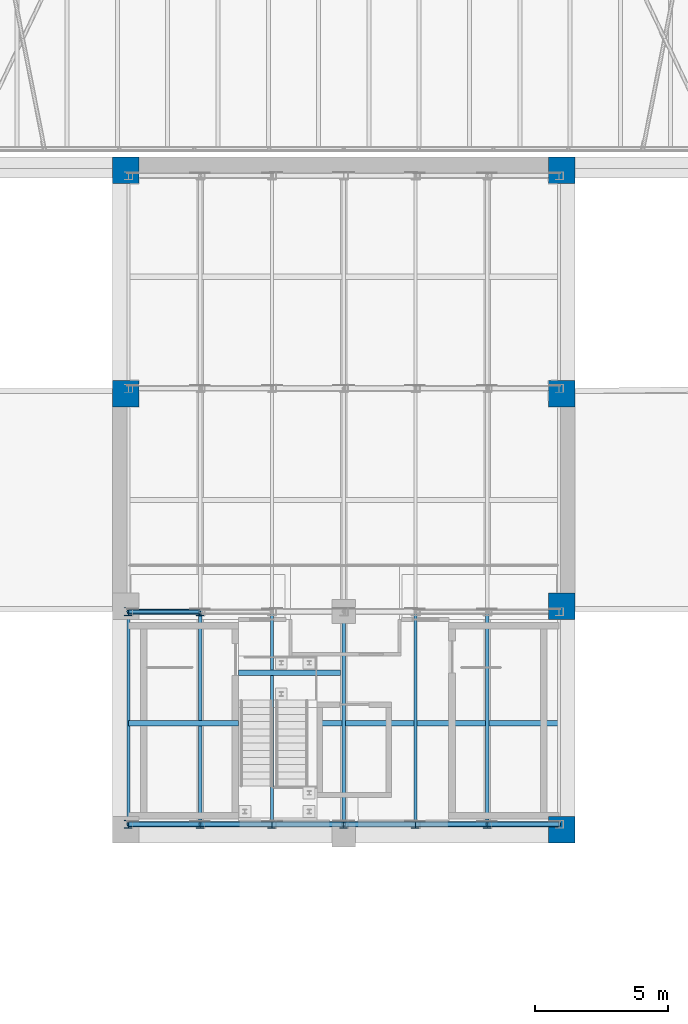
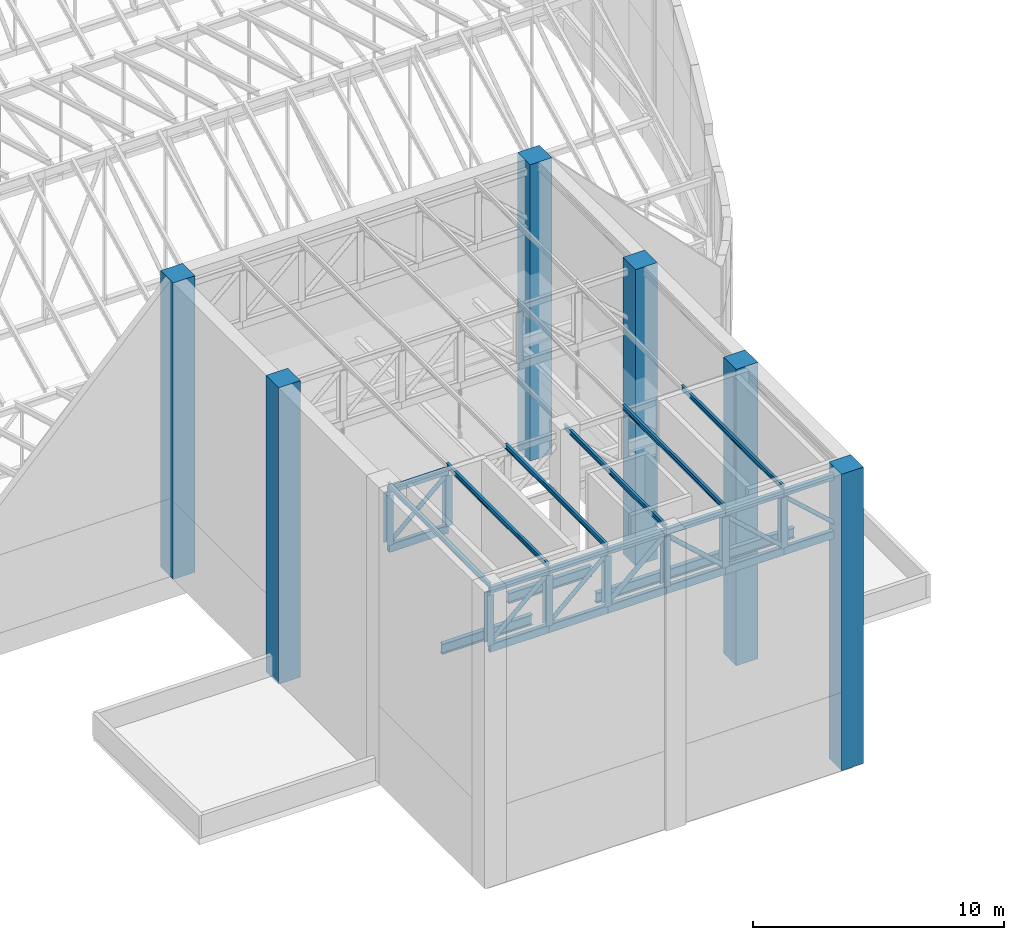
# One storey, part 2 of 68: 21 members, 17 beams, 6 columns.
"""IFC4 building model written with IfcOpenShell, lengths in metres."""

import ifcopenshell
import ifcopenshell.guid

model = None  # the IFC model being written
_history = None  # IfcOwnerHistory: only IFC2X3 demands one
_inside = {}  # id of a spatial element -> (the spatial element, [elements in it])
_under = {}  # id of a project, library or spatial element -> (it, [spatial elements below it])
_declared = {}  # id of a project -> (the project, [libraries it declares])
_typed = {}  # id of a type object -> (the type object, [elements of that type])
_made_of = {}  # id of a material, layer set ... -> (it, [elements and type objects made of it])


def new_model(schema):
    """Start an empty IFC model of exactly this schema.

    Asked for "IFC4X3", IfcOpenShell would pick the latest addendum, in which some entities
    have other attributes; the version numbers below select the first issue.
    IFC2X3 requires an IfcOwnerHistory on every rooted entity: one is made here for all.
    """
    global model, _history
    if schema == "IFC4X3":
        model = ifcopenshell.file(schema_version=(4, 3, 0, 0))
    else:
        model = ifcopenshell.file(schema=schema)
    _inside.clear()
    _under.clear()
    _declared.clear()
    _typed.clear()
    _made_of.clear()
    _history = None
    if model.schema == "IFC2X3":
        org = make("IfcOrganization", Name="unknown")
        user = make(
            "IfcPersonAndOrganization",
            ThePerson=make("IfcPerson", FamilyName="unknown"),
            TheOrganization=org,
        )
        app = make(
            "IfcApplication",
            ApplicationDeveloper=org,
            Version="unknown",
            ApplicationFullName="unknown",
            ApplicationIdentifier="unknown",
        )
        _history = make(
            "IfcOwnerHistory",
            OwningUser=user,
            OwningApplication=app,
            ChangeAction="ADDED",
            CreationDate=0,
        )
    return model


def make(cls, **values):
    """One entity of the class cls with the attributes given. An attribute that is None is left unset."""
    return model.create_entity(
        cls, **{name: value for name, value in values.items() if value is not None}
    )


def rooted(cls, **values):
    """An entity with a GlobalId (a new one), such as an element, a storey or a relation."""
    return make(cls, GlobalId=ifcopenshell.guid.new(), OwnerHistory=_history, **values)


def si_unit(unit_type, name, prefix=None):
    """IfcSIUnit, for example si_unit("LENGTHUNIT", "METRE", prefix="MILLI")."""
    return make("IfcSIUnit", UnitType=unit_type, Prefix=prefix, Name=name)


def assignment(units):
    """IfcUnitAssignment: the units of a project."""
    return None if units is None else make("IfcUnitAssignment", Units=units)


def point(xyz):
    """IfcCartesianPoint."""
    return None if xyz is None else make("IfcCartesianPoint", Coordinates=xyz)


def direction(xyz):
    """IfcDirection."""
    return None if xyz is None else make("IfcDirection", DirectionRatios=xyz)


def frame(location, z_axis=None, x_axis=None):
    """IfcAxis2Placement3D, a coordinate frame: its origin and axes. An axis left out is left unset."""
    return make(
        "IfcAxis2Placement3D",
        Location=point(location),
        Axis=direction(z_axis),
        RefDirection=direction(x_axis),
    )


def frame_2d(location, x_axis=None):
    """IfcAxis2Placement2D, a coordinate frame in the plane: its origin and x axis."""
    return make(
        "IfcAxis2Placement2D", Location=point(location), RefDirection=direction(x_axis)
    )


def origin():
    """The frame at (0, 0, 0) with its axes left unset."""
    return frame((0.0, 0.0, 0.0))


def origin_2d():
    """The frame at (0, 0) in the plane with its x axis left unset."""
    return frame_2d((0.0, 0.0))


def place(relative_to, where):
    """IfcLocalPlacement: puts the frame where relative to a parent placement (None: the world)."""
    return make(
        "IfcLocalPlacement", PlacementRelTo=relative_to, RelativePlacement=where
    )


def context(
    kind, dimensions, precision=None, world=None, true_north=None, identifier=None
):
    """IfcGeometricRepresentationContext, for example the 3D "Model" context."""
    return make(
        "IfcGeometricRepresentationContext",
        ContextIdentifier=identifier,
        ContextType=kind,
        CoordinateSpaceDimension=dimensions,
        Precision=precision,
        WorldCoordinateSystem=world,
        TrueNorth=true_north,
    )


def subcontext(parent, identifier, kind, view, scale=None):
    """IfcGeometricRepresentationSubContext, for example "Body" below "Model"."""
    return make(
        "IfcGeometricRepresentationSubContext",
        ContextIdentifier=identifier,
        ContextType=kind,
        ParentContext=parent,
        TargetScale=scale,
        TargetView=view,
    )


def project(units=None, contexts=None):
    """IfcProject with its units and contexts."""
    return rooted(
        "IfcProject",
        Name="project",
        RepresentationContexts=contexts,
        UnitsInContext=assignment(units),
    )


def spatial(cls, under=None, at=None, **own):
    """A site, building, storey or space (cls), placed at a placement, below another one or the project."""
    s = rooted(cls, ObjectPlacement=at, **own)
    if under is not None:
        _under.setdefault(under.id(), (under, []))[1].append(s)
    return s


def profile(cls, at=None, kind="AREA", **sizes):
    """A parametric profile (cls). Its sizes go by their IFC names, for example OverallWidth=200.0."""
    return make(cls, ProfileType=kind, Position=at, **sizes)


def rectangle(**sizes):
    """IfcRectangleProfileDef."""
    return profile("IfcRectangleProfileDef", **sizes)


def hollow_rectangle(**sizes):
    """IfcRectangleHollowProfileDef."""
    return profile("IfcRectangleHollowProfileDef", **sizes)


def hollow_circle(**sizes):
    """IfcCircleHollowProfileDef."""
    return profile("IfcCircleHollowProfileDef", **sizes)


def i_section(**sizes):
    """IfcIShapeProfileDef."""
    return profile("IfcIShapeProfileDef", **sizes)


def extrude(swept, where, along, depth):
    """IfcExtrudedAreaSolid: the profile swept, set in the frame where, extruded along a direction by depth."""
    return make(
        "IfcExtrudedAreaSolid",
        SweptArea=swept,
        Position=where,
        ExtrudedDirection=direction(along),
        Depth=depth,
    )


def shape(context_of_items, identifier, shape_type, items):
    """IfcShapeRepresentation: the items that make up one representation, for example the "Body"."""
    return make(
        "IfcShapeRepresentation",
        ContextOfItems=context_of_items,
        RepresentationIdentifier=identifier,
        RepresentationType=shape_type,
        Items=items,
    )


def material(Name=None, Category=None):
    """IfcMaterial."""
    return make("IfcMaterial", Name=Name, Category=Category)


def material_profile(
    of_material, cross_section, Name=None, Category=None, Priority=None
):
    """IfcMaterialProfile: a cross section and its material."""
    return make(
        "IfcMaterialProfile",
        Name=Name,
        Material=of_material,
        Profile=cross_section,
        Priority=Priority,
        Category=Category,
    )


def profile_set(profiles, Name=None, composite=None):
    """IfcMaterialProfileSet."""
    return make(
        "IfcMaterialProfileSet",
        Name=Name,
        MaterialProfiles=profiles,
        CompositeProfile=composite,
    )


def made_of(thing, what):
    """Note that an element or type object is made of a material, layer set ...; save() writes the relation."""
    if what is not None:
        _made_of.setdefault(what.id(), (what, []))[1].append(thing)
    return thing


def type_object(cls, material=None, **own):
    """A type object (cls), such as IfcWallType, which elements share."""
    return made_of(rooted(cls, **own), material)


def element(
    cls,
    number,
    at=None,
    inside=None,
    cuts=None,
    type_object=None,
    material=None,
    context=None,
    identifier="Body",
    shape_type=None,
    held_by="IfcProductDefinitionShape",
    body=None,
    shapes=None,
    **own,
):
    """One element of the class cls, such as IfcWall. Its Tag is "e" and its number.

    at: its placement. inside: the storey or other place that contains it. cuts: it is an
    opening in that element (IfcRelVoidsElement). A single representation is given by context,
    identifier, shape_type and body (its items); several are given by shapes. held_by: the class
    of the entity that holds the representations. save() writes the other relations.
    """
    e = rooted(cls, Tag="e%d" % number, ObjectPlacement=at, **own)
    if body is not None:
        shapes = [shape(context, identifier, shape_type, body)]
    if shapes is not None:
        e.Representation = make(held_by, Representations=shapes)
    if inside is not None:
        _inside.setdefault(inside.id(), (inside, []))[1].append(e)
    if cuts is not None:
        rooted(
            "IfcRelVoidsElement", RelatingBuildingElement=cuts, RelatedOpeningElement=e
        )
    if type_object is not None:
        _typed.setdefault(type_object.id(), (type_object, []))[1].append(e)
    return made_of(e, material)


def aggregate(whole, parts):
    """IfcRelAggregates: a whole, such as a stair, and the parts it consists of."""
    return rooted("IfcRelAggregates", RelatingObject=whole, RelatedObjects=parts)


def save(model, path):
    """Write the relations noted so far, then the file.

    IfcRelAggregates (storeys below a building ...), IfcRelContainedInSpatialStructure (elements
    in a storey), IfcRelDefinesByType, IfcRelAssociatesMaterial and IfcRelDeclares: one each for
    every whole, place, type object, material and project.
    """
    for whole, parts in _under.values():
        aggregate(whole, parts)
    for where, things in _inside.values():
        rooted(
            "IfcRelContainedInSpatialStructure",
            RelatedElements=things,
            RelatingStructure=where,
        )
    for kind, things in _typed.values():
        rooted("IfcRelDefinesByType", RelatedObjects=things, RelatingType=kind)
    for what, things in _made_of.values():
        rooted("IfcRelAssociatesMaterial", RelatedObjects=things, RelatingMaterial=what)
    for by, libraries in _declared.values():
        rooted("IfcRelDeclares", RelatingContext=by, RelatedDefinitions=libraries)
    model.write(path)


model = new_model("IFC4")

# Units and contexts
model_context = context("Model", 3, precision=1e-05, world=origin(), true_north=direction((0.0, 1.0)))
body_context = subcontext(model_context, "Body", "Model", "MODEL_VIEW")
ifc_project = project(units=[si_unit("LENGTHUNIT", "METRE"), si_unit("AREAUNIT", "SQUARE_METRE"), si_unit("VOLUMEUNIT", "CUBIC_METRE"), si_unit("PLANEANGLEUNIT", "RADIAN"), si_unit("MASSUNIT", "GRAM", prefix="KILO")], contexts=[model_context])

# Site, building, storey
site_placement = place(None, origin())
site = spatial("IfcSite", under=ifc_project, at=site_placement, CompositionType="ELEMENT")
building_placement = place(site_placement, origin())
building = spatial("IfcBuilding", under=site, at=building_placement, Name="Larchfold Concert Hall", CompositionType="ELEMENT")
storey_placement = place(building_placement, frame((0.0, 0.0, 28.800048828125)))
storey = spatial("IfcBuildingStorey", under=building, at=storey_placement, Name="L06", CompositionType="ELEMENT", Elevation=28.800048828125)

# Columns
ifc_material_1 = material(Name="Concrete C35/45", Category="concrete")
ifc_material_profile_1 = material_profile(ifc_material_1, rectangle(XDim=1.0, YDim=1.0, at=origin_2d()))
ifc_profile_set_1 = profile_set([ifc_material_profile_1], Name="Concrete C35/45")
column_type = type_object("IfcColumnType", Name="Column RC 1000x1000", PredefinedType="COLUMN", material=ifc_profile_set_1)
for number, where, z_axis, x_axis, name in (
    (1, (34.39990234375, 50.800048828125, 0.0), (0.0, 0.0, 1.0), (1.0, 0.0, 0.0), "Column C0003"),
    (2, (34.39990234375, 59.199951171875, 0.0), (0.0, 0.0, 1.0), (1.0, 0.0, 0.0), "Column C0004"),
    (3, (50.800048828125, 34.39990234375, 0.0), (0.0, 0.0, 1.0), (1.0, 0.0, 0.0), "Column C0007"),
    (4, (50.800048828125, 42.800048828125, 0.0), (0.0, 0.0, 1.0), (1.0, 0.0, 0.0), "Column C0008"),
    (5, (50.800048828125, 50.800048828125, 0.0), (0.0, 0.0, 1.0), (1.0, 0.0, 0.0), "Column C0009"),
    (6, (50.800048828125, 59.199951171875, 0.0), (0.0, 0.0, 1.0), (1.0, 0.0, 0.0), "Column C0010"),
):
    element("IfcColumn", number, at=place(storey_placement, frame(where, z_axis=z_axis, x_axis=x_axis)), inside=storey, type_object=column_type, Name=name, PredefinedType="COLUMN", context=body_context, shape_type="SweptSolid", body=[
        extrude(rectangle(XDim=1.0, YDim=1.0, at=origin_2d()), origin(), (0.0, 0.0, 1.0), 14.39990234375),
    ])

# Members
ifc_material_2 = material(Name="Steel S355", Category="steel")
ifc_material_profile_2 = material_profile(ifc_material_2, i_section(OverallWidth=0.1201171875, OverallDepth=0.239990234375, WebThickness=0.006103515625, FlangeThickness=0.009765625, FilletRadius=0.014892578125, at=origin_2d()))
ifc_profile_set_2 = profile_set([ifc_material_profile_2], Name="Steel S355")
member_type_1 = type_object("IfcMemberType", Name="Purlin IPE 240", PredefinedType="PURLIN", material=ifc_profile_set_2)
for number, where, z_axis, x_axis, name in (
    (7, (34.5, 34.5, 14.169921875), (0.0, 1.0, 0.0), (-1.0, 0.0, 0.0), "Member SP01"),
    (8, (37.199951171875, 34.5, 14.169921875), (0.0, 1.0, 0.0), (-1.0, 0.0, 0.0), "Member SP02"),
    (9, (39.89990234375, 34.5, 14.169921875), (0.0, 1.0, 0.0), (-1.0, 0.0, 0.0), "Member SP03"),
    (10, (42.60009765625, 34.5, 14.169921875), (0.0, 1.0, 0.0), (-1.0, 0.0, 0.0), "Member SP04"),
    (11, (45.300048828125, 34.5, 14.169921875), (0.0, 1.0, 0.0), (-1.0, 0.0, 0.0), "Member SP05"),
    (12, (48.0, 34.5, 14.169921875), (0.0, 1.0, 0.0), (-1.0, 0.0, 0.0), "Member SP06"),
):
    element("IfcMember", number, at=place(storey_placement, frame(where, z_axis=z_axis, x_axis=x_axis)), inside=storey, type_object=member_type_1, Name=name, PredefinedType="PURLIN", context=body_context, shape_type="SweptSolid", body=[
        extrude(i_section(OverallWidth=0.1201171875, OverallDepth=0.239990234375, WebThickness=0.006103515625, FlangeThickness=0.009765625, FilletRadius=0.014892578125, at=origin_2d()), origin(), (0.0, 0.0, 1.0), 8.10009765625),
    ])

# Beams
ifc_material_3 = material(Name="Steel S355", Category="steel")
ifc_material_profile_3 = material_profile(ifc_material_3, i_section(OverallWidth=0.199951171875, OverallDepth=0.5, WebThickness=0.01025390625, FlangeThickness=0.01611328125, FilletRadius=0.02099609375, at=origin_2d()))
ifc_profile_set_3 = profile_set([ifc_material_profile_3], Name="Steel S355")
beam_type_1 = type_object("IfcBeamType", Name="Steel beam IPE 500", PredefinedType="BEAM", material=ifc_profile_set_3)
beam_1_placement = place(storey_placement, frame((34.5, 38.39990234375, 8.75), z_axis=(1.0, 0.0, 0.0), x_axis=(0.0, 1.0, 0.0)))
element("IfcBeam", 13, at=beam_1_placement, inside=storey, type_object=beam_type_1, Name="Beam GS38", PredefinedType="BEAM", context=body_context, shape_type="SweptSolid", body=[
    extrude(i_section(OverallWidth=0.199951171875, OverallDepth=0.5, WebThickness=0.01025390625, FlangeThickness=0.01611328125, FilletRadius=0.02099609375, at=origin_2d()), origin(), (0.0, 0.0, 1.0), 4.14990234375),
])
beam_2_placement = place(storey_placement, frame((41.60009765625, 38.39990234375, 8.75), z_axis=(1.0, 0.0, 0.0), x_axis=(0.0, 1.0, 0.0)))
element("IfcBeam", 14, at=beam_2_placement, inside=storey, type_object=beam_type_1, Name="Beam GS39", PredefinedType="BEAM", context=body_context, shape_type="SweptSolid", body=[
    extrude(i_section(OverallWidth=0.199951171875, OverallDepth=0.5, WebThickness=0.01025390625, FlangeThickness=0.01611328125, FilletRadius=0.02099609375, at=origin_2d()), origin(), (0.0, 0.0, 1.0), 9.099853515625),
])
beam_3_placement = place(storey_placement, frame((38.64990234375, 40.300048828125, 8.60986328125), z_axis=(1.0, 0.0, 0.0), x_axis=(0.0, 1.0, 0.0)))
element("IfcBeam", 15, at=beam_3_placement, inside=storey, type_object=beam_type_1, Name="Beam SB01", PredefinedType="BEAM", context=body_context, shape_type="SweptSolid", body=[
    extrude(i_section(OverallWidth=0.199951171875, OverallDepth=0.5, WebThickness=0.01025390625, FlangeThickness=0.01611328125, FilletRadius=0.02099609375, at=origin_2d()), origin(), (0.0, 0.0, 1.0), 3.830078125),
])
ifc_material_4 = material(Name="Steel S355J2H", Category="steel")
ifc_material_profile_4 = material_profile(ifc_material_4, hollow_rectangle(XDim=0.199951171875, YDim=0.300048828125, WallThickness=0.012451171875, InnerFilletRadius=0.018798828125, OuterFilletRadius=0.03125, at=origin_2d()))
ifc_profile_set_4 = profile_set([ifc_material_profile_4], Name="Steel S355J2H")
beam_type_2 = type_object("IfcBeamType", Name="Truss chord RHS 300x200x12.5", PredefinedType="BEAM", material=ifc_profile_set_4)
for number, where, z_axis, x_axis, name in (
    (16, (34.5, 34.60009765625, 13.89990234375), (1.0, 0.0, 0.0), (0.0, 1.0, 0.0), "Beam SR1T01"),
    (17, (37.199951171875, 34.60009765625, 13.89990234375), (1.0, 0.0, 0.0), (0.0, 1.0, 0.0), "Beam SR1T02"),
):
    element("IfcBeam", number, at=place(storey_placement, frame(where, z_axis=z_axis, x_axis=x_axis)), inside=storey, type_object=beam_type_2, Name=name, PredefinedType="BEAM", context=body_context, shape_type="SweptSolid", body=[
        extrude(hollow_rectangle(XDim=0.199951171875, YDim=0.300048828125, WallThickness=0.012451171875, InnerFilletRadius=0.018798828125, OuterFilletRadius=0.03125, at=origin_2d()), origin(), (0.0, 0.0, 1.0), 2.699951171875),
    ])
beam_4_placement = place(storey_placement, frame((39.89990234375, 34.60009765625, 13.89990234375), z_axis=(1.0, 0.0, 0.0), x_axis=(0.0, 1.0, 0.0)))
element("IfcBeam", 18, at=beam_4_placement, inside=storey, type_object=beam_type_2, Name="Beam SR1T03", PredefinedType="BEAM", context=body_context, shape_type="SweptSolid", body=[
    extrude(hollow_rectangle(XDim=0.199951171875, YDim=0.300048828125, WallThickness=0.012451171875, InnerFilletRadius=0.018798828125, OuterFilletRadius=0.03125, at=origin_2d()), origin(), (0.0, 0.0, 1.0), 2.7001953125),
])
for number, where, z_axis, x_axis, name in (
    (19, (42.60009765625, 34.60009765625, 13.89990234375), (1.0, 0.0, 0.0), (0.0, 1.0, 0.0), "Beam SR1T04"),
    (20, (45.300048828125, 34.60009765625, 13.89990234375), (1.0, 0.0, 0.0), (0.0, 1.0, 0.0), "Beam SR1T05"),
    (21, (48.0, 34.60009765625, 13.89990234375), (1.0, 0.0, 0.0), (0.0, 1.0, 0.0), "Beam SR1T06"),
    (22, (34.5, 42.60009765625, 13.89990234375), (1.0, 0.0, 0.0), (0.0, 1.0, 0.0), "Beam SR2T01"),
):
    element("IfcBeam", number, at=place(storey_placement, frame(where, z_axis=z_axis, x_axis=x_axis)), inside=storey, type_object=beam_type_2, Name=name, PredefinedType="BEAM", context=body_context, shape_type="SweptSolid", body=[
        extrude(hollow_rectangle(XDim=0.199951171875, YDim=0.300048828125, WallThickness=0.012451171875, InnerFilletRadius=0.018798828125, OuterFilletRadius=0.03125, at=origin_2d()), origin(), (0.0, 0.0, 1.0), 2.699951171875),
    ])
ifc_material_5 = material(Name="Steel S355J2H", Category="steel")
ifc_material_profile_5 = material_profile(ifc_material_5, hollow_rectangle(XDim=0.199951171875, YDim=0.39990234375, WallThickness=0.012451171875, InnerFilletRadius=0.018798828125, OuterFilletRadius=0.03125, at=origin_2d()))
ifc_profile_set_5 = profile_set([ifc_material_profile_5], Name="Steel S355J2H")
beam_type_3 = type_object("IfcBeamType", Name="Truss chord RHS 400x200x12.5", PredefinedType="BEAM", material=ifc_profile_set_5)
for number, where, z_axis, x_axis, name in (
    (23, (34.5, 34.60009765625, 11.099853515625), (1.0, 0.0, 0.0), (0.0, 1.0, 0.0), "Beam SR1B01"),
    (24, (37.199951171875, 34.60009765625, 11.099853515625), (1.0, 0.0, 0.0), (0.0, 1.0, 0.0), "Beam SR1B02"),
):
    element("IfcBeam", number, at=place(storey_placement, frame(where, z_axis=z_axis, x_axis=x_axis)), inside=storey, type_object=beam_type_3, Name=name, PredefinedType="BEAM", context=body_context, shape_type="SweptSolid", body=[
        extrude(hollow_rectangle(XDim=0.199951171875, YDim=0.39990234375, WallThickness=0.012451171875, InnerFilletRadius=0.018798828125, OuterFilletRadius=0.03125, at=origin_2d()), origin(), (0.0, 0.0, 1.0), 2.699951171875),
    ])
beam_5_placement = place(storey_placement, frame((39.89990234375, 34.60009765625, 11.099853515625), z_axis=(1.0, 0.0, 0.0), x_axis=(0.0, 1.0, 0.0)))
element("IfcBeam", 25, at=beam_5_placement, inside=storey, type_object=beam_type_3, Name="Beam SR1B03", PredefinedType="BEAM", context=body_context, shape_type="SweptSolid", body=[
    extrude(hollow_rectangle(XDim=0.199951171875, YDim=0.39990234375, WallThickness=0.012451171875, InnerFilletRadius=0.018798828125, OuterFilletRadius=0.03125, at=origin_2d()), origin(), (0.0, 0.0, 1.0), 2.7001953125),
])
for number, where, z_axis, x_axis, name in (
    (26, (42.60009765625, 34.60009765625, 11.099853515625), (1.0, 0.0, 0.0), (0.0, 1.0, 0.0), "Beam SR1B04"),
    (27, (45.300048828125, 34.60009765625, 11.099853515625), (1.0, 0.0, 0.0), (0.0, 1.0, 0.0), "Beam SR1B05"),
    (28, (48.0, 34.60009765625, 11.099853515625), (1.0, 0.0, 0.0), (0.0, 1.0, 0.0), "Beam SR1B06"),
    (29, (34.5, 42.60009765625, 11.099853515625), (1.0, 0.0, 0.0), (0.0, 1.0, 0.0), "Beam SR2B01"),
):
    element("IfcBeam", number, at=place(storey_placement, frame(where, z_axis=z_axis, x_axis=x_axis)), inside=storey, type_object=beam_type_3, Name=name, PredefinedType="BEAM", context=body_context, shape_type="SweptSolid", body=[
        extrude(hollow_rectangle(XDim=0.199951171875, YDim=0.39990234375, WallThickness=0.012451171875, InnerFilletRadius=0.018798828125, OuterFilletRadius=0.03125, at=origin_2d()), origin(), (0.0, 0.0, 1.0), 2.699951171875),
    ])

# Members
ifc_material_6 = material(Name="Steel S355", Category="steel")
ifc_material_profile_6 = material_profile(ifc_material_6, i_section(OverallWidth=0.300048828125, OverallDepth=0.31005859375, WebThickness=0.009033203125, FlangeThickness=0.015380859375, FilletRadius=0.027099609375, at=origin_2d()))
ifc_profile_set_6 = profile_set([ifc_material_profile_6], Name="Steel S355")
member_type_2 = type_object("IfcMemberType", Name="Truss post HEA 320", PredefinedType="POST", material=ifc_profile_set_6)
for number, where, z_axis, x_axis, name in (
    (30, (34.5, 34.60009765625, 11.300048828125), (0.0, 0.0, 1.0), (1.0, 0.0, 0.0), "Member SR1V01"),
    (31, (37.199951171875, 34.60009765625, 11.300048828125), (0.0, 0.0, 1.0), (1.0, 0.0, 0.0), "Member SR1V02"),
    (32, (39.89990234375, 34.60009765625, 11.300048828125), (0.0, 0.0, 1.0), (1.0, 0.0, 0.0), "Member SR1V03"),
    (33, (42.60009765625, 34.60009765625, 11.300048828125), (0.0, 0.0, 1.0), (1.0, 0.0, 0.0), "Member SR1V04"),
    (34, (45.300048828125, 34.60009765625, 11.300048828125), (0.0, 0.0, 1.0), (1.0, 0.0, 0.0), "Member SR1V05"),
    (35, (48.0, 34.60009765625, 11.300048828125), (0.0, 0.0, 1.0), (1.0, 0.0, 0.0), "Member SR1V06"),
    (36, (34.5, 42.60009765625, 11.300048828125), (0.0, 0.0, 1.0), (1.0, 0.0, 0.0), "Member SR2V01"),
    (37, (37.199951171875, 42.60009765625, 11.300048828125), (0.0, 0.0, 1.0), (1.0, 0.0, 0.0), "Member SR2V02"),
):
    element("IfcMember", number, at=place(storey_placement, frame(where, z_axis=z_axis, x_axis=x_axis)), inside=storey, type_object=member_type_2, Name=name, PredefinedType="POST", context=body_context, shape_type="SweptSolid", body=[
        extrude(i_section(OverallWidth=0.300048828125, OverallDepth=0.31005859375, WebThickness=0.009033203125, FlangeThickness=0.015380859375, FilletRadius=0.027099609375, at=origin_2d()), origin(), (0.0, 0.0, 1.0), 2.449951171875),
    ])
ifc_material_7 = material(Name="Steel S355J2H", Category="steel")
ifc_material_profile_7 = material_profile(ifc_material_7, hollow_circle(Radius=0.096923828125, WallThickness=0.008056640625, at=origin_2d()))
ifc_profile_set_7 = profile_set([ifc_material_profile_7], Name="Steel S355J2H")
member_type_3 = type_object("IfcMemberType", Name="Truss web CHS 193.7x8", PredefinedType="BRACE", material=ifc_profile_set_7)
for number, where, z_axis, x_axis, name in (
    (38, (34.5, 34.60009765625, 11.300048828125), (0.740560922263, 0.0, 0.671989226414), (0.0, 1.0, 0.0), "Member SR1D01"),
    (39, (37.199951171875, 34.60009765625, 11.300048828125), (0.740560922263, 0.0, 0.671989226414), (0.0, 1.0, 0.0), "Member SR1D02"),
    (40, (45.300048828125, 34.60009765625, 13.75), (0.740560922263, 0.0, -0.671989226414), (0.0, 1.0, 0.0), "Member SR1D05"),
    (41, (48.0, 34.60009765625, 13.75), (0.740560922263, 0.0, -0.671989226414), (0.0, 1.0, 0.0), "Member SR1D06"),
    (42, (34.5, 42.60009765625, 11.300048828125), (0.740560922263, 0.0, 0.671989226414), (0.0, 1.0, 0.0), "Member SR2D01"),
):
    element("IfcMember", number, at=place(storey_placement, frame(where, z_axis=z_axis, x_axis=x_axis)), inside=storey, type_object=member_type_3, Name=name, PredefinedType="BRACE", context=body_context, shape_type="SweptSolid", body=[
        extrude(hollow_circle(Radius=0.096923828125, WallThickness=0.008056640625, at=origin_2d()), origin(), (0.0, 0.0, 1.0), 3.645751953125),
    ])
ifc_material_8 = material(Name="Steel S355J2H", Category="steel")
ifc_material_profile_8 = material_profile(ifc_material_8, hollow_circle(Radius=0.109619140625, WallThickness=0.010009765625, at=origin_2d()))
ifc_profile_set_8 = profile_set([ifc_material_profile_8], Name="Steel S355J2H")
member_type_4 = type_object("IfcMemberType", Name="Truss web CHS 219.1x10", PredefinedType="BRACE", material=ifc_profile_set_8)
member_1_placement = place(storey_placement, frame((39.89990234375, 34.60009765625, 11.300048828125), z_axis=(0.740591159162, 0.0, 0.671955902549), x_axis=(0.0, 1.0, 0.0)))
element("IfcMember", 43, at=member_1_placement, inside=storey, type_object=member_type_4, Name="Member SR1D03", PredefinedType="BRACE", context=body_context, shape_type="SweptSolid", body=[
    extrude(hollow_circle(Radius=0.109619140625, WallThickness=0.010009765625, at=origin_2d()), origin(), (0.0, 0.0, 1.0), 3.64599609375),
])
member_2_placement = place(storey_placement, frame((42.60009765625, 34.60009765625, 13.75), z_axis=(0.740560922263, 0.0, -0.671989226414), x_axis=(0.0, 1.0, 0.0)))
element("IfcMember", 44, at=member_2_placement, inside=storey, type_object=member_type_4, Name="Member SR1D04", PredefinedType="BRACE", context=body_context, shape_type="SweptSolid", body=[
    extrude(hollow_circle(Radius=0.109619140625, WallThickness=0.010009765625, at=origin_2d()), origin(), (0.0, 0.0, 1.0), 3.645751953125),
])

save(model, "model.ifc")
